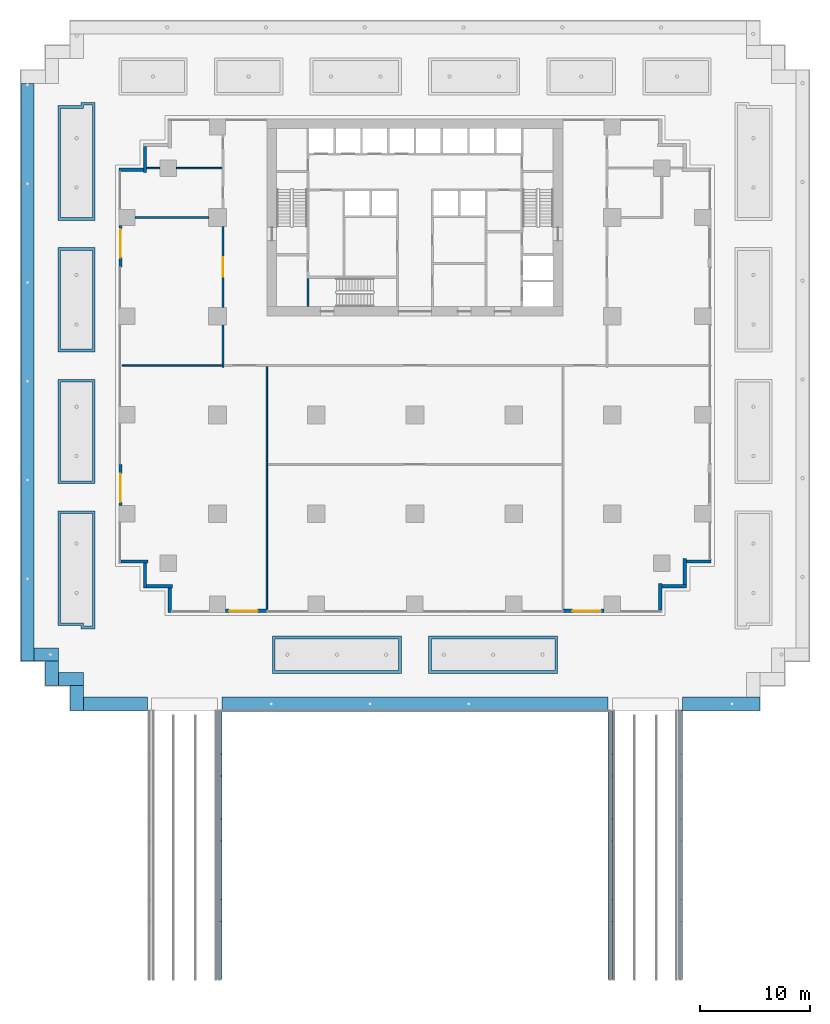
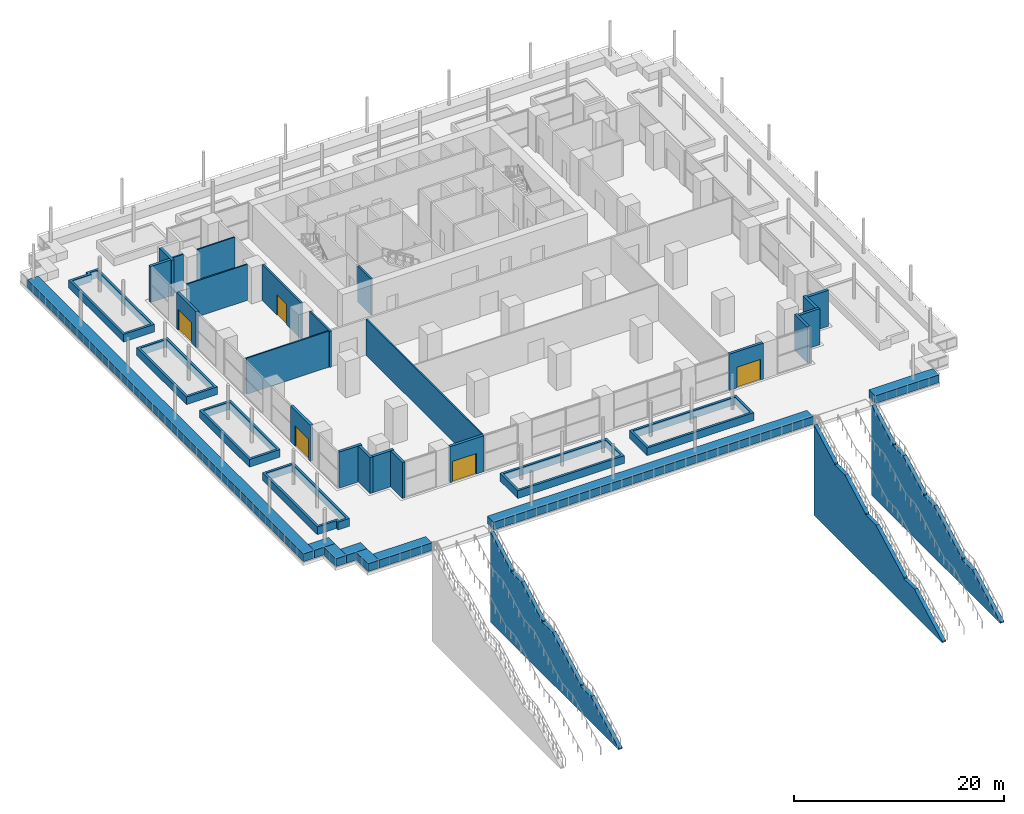
# One storey, part 9 of 18: 39 walls, 5 doors, 5 openings.
"""IFC4 building model written with IfcOpenShell, lengths in metres."""

from ifc_helpers import new_model, si_unit, direction, frame, frame_2d, origin, place, context, subcontext, project, spatial, polyline, rectangle, outline, extrude, material, layer, layer_set, type_object, element, fill, save


model = new_model("IFC4")

# Units and contexts
model_context = context("Model", 3, precision=1e-05, world=origin(), true_north=direction((0.0, 1.0)))
body_context = subcontext(model_context, "Body", "Model", "MODEL_VIEW")
ifc_project = project(units=[si_unit("LENGTHUNIT", "METRE"), si_unit("AREAUNIT", "SQUARE_METRE"), si_unit("VOLUMEUNIT", "CUBIC_METRE"), si_unit("PLANEANGLEUNIT", "RADIAN"), si_unit("MASSUNIT", "GRAM", prefix="KILO")], contexts=[model_context])

# Site, building, storey
site_placement = place(None, origin())
site = spatial("IfcSite", under=ifc_project, at=site_placement, CompositionType="ELEMENT")
building_placement = place(site_placement, origin())
building = spatial("IfcBuilding", under=site, at=building_placement, Name="Orbiselva Terraces", CompositionType="ELEMENT")
storey_placement = place(building_placement, frame((0.0, 0.0, 10.5)))
storey = spatial("IfcBuildingStorey", under=building, at=storey_placement, Name="L02", CompositionType="ELEMENT", Elevation=10.5)

# Walls
ifc_material_1 = material(Name="Concrete C60/75", Category="concrete")
ifc_layer_1 = layer(ifc_material_1, 0.2)
ifc_layer_set_1 = layer_set([ifc_layer_1], Name="Concrete C60/75")
wall_type_1 = type_object("IfcWallType", Name="CORE-WALL-SHEAR-200", PredefinedType="SHEAR", material=ifc_layer_set_1)
wall_1_placement = place(storey_placement, frame((-9.75, 5.4, 0.0), z_axis=(0.0, 0.0, 1.0), x_axis=(0.0, 1.0, 0.0)))
element("IfcWall", 1, at=wall_1_placement, inside=storey, type_object=wall_type_1, Name="L02 core wall 03", PredefinedType="SHEAR", context=body_context, shape_type="SweptSolid", body=[
    extrude(rectangle(XDim=2.55, YDim=0.2, at=frame_2d((1.275, 0.0))), origin(), (0.0, 0.0, 1.0), 4.2),
])
ifc_material_2 = material(Name="Concrete C40/50", Category="concrete")
ifc_layer_2 = layer(ifc_material_2, 1.2)
ifc_layer_set_2 = layer_set([ifc_layer_2], Name="Concrete C40/50")
wall_type_2 = type_object("IfcWallType", Name="ENV-GARDEN-BED-1200x900", PredefinedType="USERDEFINED", material=ifc_layer_set_2)
wall_2_placement = place(storey_placement, frame((-17.6, -30.83, 0.05), z_axis=(0.0, 0.0, 1.0), x_axis=(1.0, 0.0, 0.0)))
element("IfcWall", 2, at=wall_2_placement, inside=storey, type_object=wall_type_2, Name="Planter bed L02 deck", ObjectType="PLANTER", PredefinedType="USERDEFINED", context=body_context, shape_type="SweptSolid", body=[
    extrude(rectangle(XDim=35.2, YDim=1.2, at=frame_2d((17.6, 0.0))), origin(), (0.0, 0.0, 1.0), 0.9),
])
wall_3_placement = place(storey_placement, frame((24.4, -30.83, 0.05), z_axis=(0.0, 0.0, 1.0), x_axis=(1.0, 0.0, 0.0)))
element("IfcWall", 3, at=wall_3_placement, inside=storey, type_object=wall_type_2, Name="Planter bed L02 deck", ObjectType="PLANTER", PredefinedType="USERDEFINED", context=body_context, shape_type="SweptSolid", body=[
    extrude(rectangle(XDim=7.03, YDim=1.2, at=frame_2d((3.515, 0.0))), origin(), (0.0, 0.0, 1.0), 0.9),
])
wall_4_placement = place(storey_placement, frame((-35.33, 25.73, 0.05), z_axis=(0.0, 0.0, 1.0), x_axis=(0.0, -1.0, 0.0)))
element("IfcWall", 4, at=wall_4_placement, inside=storey, type_object=wall_type_2, Name="Planter bed L02 deck", ObjectType="PLANTER", PredefinedType="USERDEFINED", context=body_context, shape_type="SweptSolid", body=[
    extrude(rectangle(XDim=52.66, YDim=1.2, at=frame_2d((26.33, 0.0))), origin(), (0.0, 0.0, 1.0), 0.9),
])
for number, where, z_axis, x_axis, name in (
    (5, (-34.73, -26.33, 0.05), (0.0, 0.0, 1.0), (1.0, 0.0, 0.0), "Planter bed L02 deck"),
    (6, (-33.08, -26.93, 0.05), (0.0, 0.0, 1.0), (0.0, -1.0, 0.0), "Planter bed L02 deck"),
    (7, (-32.48, -28.58, 0.05), (0.0, 0.0, 1.0), (1.0, 0.0, 0.0), "Planter bed L02 deck"),
    (8, (-30.83, -29.18, 0.05), (0.0, 0.0, 1.0), (0.0, -1.0, 0.0), "Planter bed L02 deck"),
):
    element("IfcWall", number, at=place(storey_placement, frame(where, z_axis=z_axis, x_axis=x_axis)), inside=storey, type_object=wall_type_2, Name=name, ObjectType="PLANTER", PredefinedType="USERDEFINED", context=body_context, shape_type="SweptSolid", body=[
        extrude(rectangle(XDim=2.25, YDim=1.2, at=frame_2d((1.125, 0.0))), origin(), (0.0, 0.0, 1.0), 0.9),
    ])
wall_5_placement = place(storey_placement, frame((-30.23, -30.83, 0.05), z_axis=(0.0, 0.0, 1.0), x_axis=(1.0, 0.0, 0.0)))
element("IfcWall", 9, at=wall_5_placement, inside=storey, type_object=wall_type_2, Name="Planter bed L02 deck", ObjectType="PLANTER", PredefinedType="USERDEFINED", context=body_context, shape_type="SweptSolid", body=[
    extrude(rectangle(XDim=5.83, YDim=1.2, at=frame_2d((2.915, 0.0))), origin(), (0.0, 0.0, 1.0), 0.9),
])
ifc_layer_3 = layer(ifc_material_2, 0.25)
ifc_layer_set_3 = layer_set([ifc_layer_3], Name="Concrete C40/50")
wall_type_3 = type_object("IfcWallType", Name="ENV-GARDEN-BED-250x900", PredefinedType="USERDEFINED", material=ifc_layer_set_3)
wall_6_placement = place(storey_placement, frame((0.0, 0.0, 0.05)))
element("IfcWall", 10, at=wall_6_placement, inside=storey, type_object=wall_type_3, Name="Planter L02 Planting bed 1", ObjectType="PLANTER", PredefinedType="USERDEFINED", context=body_context, shape_type="SweptSolid", body=[
    extrude(outline(polyline([(-13.0, -28.05), (-1.25, -28.05), (-1.25, -24.65), (-13.0, -24.65), (-13.0, -28.05)]), holes=[polyline([(-12.75, -24.9), (-1.5, -24.9), (-1.5, -27.8), (-12.75, -27.8), (-12.75, -24.9)])]), origin(), (0.0, 0.0, 1.0), 0.9),
])
wall_7_placement = place(storey_placement, frame((0.0, 0.0, 0.05)))
element("IfcWall", 11, at=wall_7_placement, inside=storey, type_object=wall_type_3, Name="Planter L02 Planting bed 2", ObjectType="PLANTER", PredefinedType="USERDEFINED", context=body_context, shape_type="SweptSolid", body=[
    extrude(outline(polyline([(1.25, -28.05), (13.0, -28.05), (13.0, -24.65), (1.25, -24.65), (1.25, -28.05)]), holes=[polyline([(1.5, -24.9), (12.75, -24.9), (12.75, -27.8), (1.5, -27.8), (1.5, -24.9)])]), origin(), (0.0, 0.0, 1.0), 0.9),
])
wall_8_placement = place(storey_placement, frame((0.0, 0.0, 0.05)))
element("IfcWall", 12, at=wall_8_placement, inside=storey, type_object=wall_type_3, Name="Planter L02 Planting bed 3", ObjectType="PLANTER", PredefinedType="USERDEFINED", context=body_context, shape_type="SweptSolid", body=[
    extrude(outline(polyline([(-32.55, -13.25), (-32.55, -23.7), (-30.45, -23.7), (-30.45, -24.0), (-29.15, -24.0), (-29.15, -13.25), (-32.55, -13.25)]), holes=[polyline([(-29.4, -13.5), (-29.4, -23.75), (-30.2, -23.75), (-30.2, -23.45), (-32.3, -23.45), (-32.3, -13.5), (-29.4, -13.5)])]), origin(), (0.0, 0.0, 1.0), 0.9),
])
wall_9_placement = place(storey_placement, frame((0.0, 0.0, 0.05)))
element("IfcWall", 13, at=wall_9_placement, inside=storey, type_object=wall_type_3, Name="Planter L02 Planting bed 5", ObjectType="PLANTER", PredefinedType="USERDEFINED", context=body_context, shape_type="SweptSolid", body=[
    extrude(outline(polyline([(-32.55, -10.75), (-29.15, -10.75), (-29.15, -1.25), (-32.55, -1.25), (-32.55, -10.75)]), holes=[polyline([(-32.3, -1.5), (-29.4, -1.5), (-29.4, -10.5), (-32.3, -10.5), (-32.3, -1.5)])]), origin(), (0.0, 0.0, 1.0), 0.9),
])
wall_10_placement = place(storey_placement, frame((0.0, 0.0, 0.05)))
element("IfcWall", 14, at=wall_10_placement, inside=storey, type_object=wall_type_3, Name="Planter L02 Planting bed 7", ObjectType="PLANTER", PredefinedType="USERDEFINED", context=body_context, shape_type="SweptSolid", body=[
    extrude(outline(polyline([(-32.55, 1.25), (-29.15, 1.25), (-29.15, 10.75), (-32.55, 10.75), (-32.55, 1.25)]), holes=[polyline([(-32.3, 10.5), (-29.4, 10.5), (-29.4, 1.5), (-32.3, 1.5), (-32.3, 10.5)])]), origin(), (0.0, 0.0, 1.0), 0.9),
])
wall_11_placement = place(storey_placement, frame((0.0, 0.0, 0.05)))
element("IfcWall", 15, at=wall_11_placement, inside=storey, type_object=wall_type_3, Name="Planter L02 Planting bed 9", ObjectType="PLANTER", PredefinedType="USERDEFINED", context=body_context, shape_type="SweptSolid", body=[
    extrude(outline(polyline([(-29.15, 24.0), (-30.45, 24.0), (-30.45, 23.7), (-32.55, 23.7), (-32.55, 13.25), (-29.15, 13.25), (-29.15, 24.0)]), holes=[polyline([(-29.4, 13.5), (-32.3, 13.5), (-32.3, 23.45), (-30.2, 23.45), (-30.2, 23.75), (-29.4, 23.75), (-29.4, 13.5)])]), origin(), (0.0, 0.0, 1.0), 0.9),
])
ifc_layer_4 = layer(ifc_material_2, 0.4)
ifc_layer_set_4 = layer_set([ifc_layer_4], Name="Concrete C40/50")
wall_type_4 = type_object("IfcWallType", Name="ENV-STAIR-CHEEK-400", PredefinedType="SOLIDWALL", material=ifc_layer_set_4)
wall_12_placement = place(storey_placement, frame((-17.8, -55.98, -10.5), z_axis=(0.0, 0.0, 1.0), x_axis=(0.0, 1.0, 0.0)))
element("IfcWall", 16, at=wall_12_placement, inside=storey, type_object=wall_type_4, Name="Stair cheek wall 1E", PredefinedType="SOLIDWALL", context=body_context, shape_type="SweptSolid", body=[
    extrude(outline(polyline([(0.0, 0.0), (24.48, 0.0), (24.48, 10.5), (20.56, 8.4), (20.56, 8.25), (18.56, 8.25), (14.64, 6.15), (14.64, 6.0), (12.64, 6.0), (7.32, 3.15), (7.32, 3.0), (5.32, 3.0), (0.0, 0.15), (0.0, 0.0), (0.0, 0.0)])), frame((0.0, 0.2, 0.0), z_axis=(0.0, -1.0, 0.0), x_axis=(1.0, 0.0, 0.0)), (0.0, 0.0, 1.0), 0.4),
])
wall_13_placement = place(storey_placement, frame((24.2, -55.98, -10.5), z_axis=(0.0, 0.0, 1.0), x_axis=(0.0, 1.0, 0.0)))
element("IfcWall", 17, at=wall_13_placement, inside=storey, type_object=wall_type_4, Name="Stair cheek wall 2E", PredefinedType="SOLIDWALL", context=body_context, shape_type="SweptSolid", body=[
    extrude(outline(polyline([(0.0, 0.0), (24.566, 0.0), (24.566, 10.5), (24.48, 10.5), (20.56, 8.4), (20.56, 8.25), (18.56, 8.25), (14.64, 6.15), (14.64, 6.0), (12.64, 6.0), (7.32, 3.15), (7.32, 3.0), (5.32, 3.0), (0.0, 0.15), (0.0, 0.0), (0.0, 0.0)])), frame((0.0, 0.2, 0.0), z_axis=(0.0, -1.0, 0.0), x_axis=(1.0, 0.0, 0.0)), (0.0, 0.0, 1.0), 0.4),
])
wall_14_placement = place(storey_placement, frame((17.8, -55.98, -10.5), z_axis=(0.0, 0.0, 1.0), x_axis=(0.0, 1.0, 0.0)))
element("IfcWall", 18, at=wall_14_placement, inside=storey, type_object=wall_type_4, Name="Stair cheek wall 2W", PredefinedType="SOLIDWALL", context=body_context, shape_type="SweptSolid", body=[
    extrude(outline(polyline([(0.0, 0.0), (24.48, 0.0), (24.48, 10.5), (20.56, 8.4), (20.56, 8.25), (18.56, 8.25), (14.64, 6.15), (14.64, 6.0), (12.64, 6.0), (7.32, 3.15), (7.32, 3.0), (5.32, 3.0), (0.0, 0.15), (0.0, 0.0), (0.0, 0.0)])), frame((0.0, 0.2, 0.0), z_axis=(0.0, -1.0, 0.0), x_axis=(1.0, 0.0, 0.0)), (0.0, 0.0, 1.0), 0.4),
])

# Wall, opening, door
ifc_material_3 = material(Name="Terracotta cladding on masonry backing", Category="masonry")
ifc_layer_5 = layer(ifc_material_3, 0.3)
ifc_layer_set_5 = layer_set([ifc_layer_5], Name="Terracotta cladding on masonry backing")
wall_type_5 = type_object("IfcWallType", Name="ENV-WALL-TERRACOTTA-300", PredefinedType="SOLIDWALL", material=ifc_layer_set_5)
wall_15_placement = place(storey_placement, frame((-13.5, -22.35, 0.0), z_axis=(0.0, 0.0, 1.0), x_axis=(-1.0, 0.0, 0.0)))
wall_15 = element("IfcWall", 19, at=wall_15_placement, inside=storey, type_object=wall_type_5, Name="Facade wall L02 S", PredefinedType="SOLIDWALL", context=body_context, shape_type="SweptSolid", body=[
    extrude(rectangle(XDim=3.75, YDim=0.3, at=frame_2d((1.875, 0.0))), origin(), (0.0, 0.0, 1.0), 4.2),
])
opening_1_placement = place(wall_15_placement, frame((0.85, 0.0, 0.0)))
opening_1 = element("IfcOpeningElement", 20, at=opening_1_placement, cuts=wall_15, Name="Opening GARDEN-E01", PredefinedType="OPENING", context=body_context, shape_type="SweptSolid", body=[
    extrude(rectangle(XDim=2.6, YDim=2.4, at=frame_2d((1.3, 1.2))), frame((0.0, 0.16, 0.0), z_axis=(0.0, -1.0, 0.0), x_axis=(1.0, 0.0, 0.0)), (0.0, 0.0, 1.0), 0.32),
])
ifc_material_4 = material(Name="Clear low-e glazing in aluminium frame", Category="aluminium")
door_type_1 = type_object("IfcDoorType", Name="TERRACE DOOR 2600 X 2400", OperationType="DOUBLE_DOOR_SINGLE_SWING", PredefinedType="DOOR", material=ifc_material_4)
door_1_placement = place(opening_1_placement, origin())
door_1 = element("IfcDoor", 21, at=door_1_placement, inside=storey, type_object=door_type_1, Name="GARDEN-E01", OperationType="SINGLE_SWING_LEFT", OverallHeight=2.4, OverallWidth=2.6, PredefinedType="DOOR", context=body_context, shape_type="SweptSolid", body=[
    extrude(rectangle(XDim=2.6, YDim=2.4, at=frame_2d((1.3, 1.2))), frame((0.0, 0.025, 0.0), z_axis=(0.0, -1.0, 0.0), x_axis=(1.0, 0.0, 0.0)), (0.0, 0.0, 1.0), 0.05),
])
fill(opening_1, door_1)

wall_16_placement = place(storey_placement, frame((17.25, -22.35, 0.0), z_axis=(0.0, 0.0, 1.0), x_axis=(-1.0, 0.0, 0.0)))
wall_16 = element("IfcWall", 22, at=wall_16_placement, inside=storey, type_object=wall_type_5, Name="Facade wall L02 S", PredefinedType="SOLIDWALL", context=body_context, shape_type="SweptSolid", body=[
    extrude(rectangle(XDim=3.75, YDim=0.3, at=frame_2d((1.875, 0.0))), origin(), (0.0, 0.0, 1.0), 4.2),
])
opening_2_placement = place(wall_16_placement, frame((0.3, 0.0, 0.0)))
opening_2 = element("IfcOpeningElement", 23, at=opening_2_placement, cuts=wall_16, Name="Opening GARDEN-E02", PredefinedType="OPENING", context=body_context, shape_type="SweptSolid", body=[
    extrude(rectangle(XDim=2.6, YDim=2.4, at=frame_2d((1.3, 1.2))), frame((0.0, 0.16, 0.0), z_axis=(0.0, -1.0, 0.0), x_axis=(1.0, 0.0, 0.0)), (0.0, 0.0, 1.0), 0.32),
])
door_2_placement = place(opening_2_placement, origin())
door_2 = element("IfcDoor", 24, at=door_2_placement, inside=storey, type_object=door_type_1, Name="GARDEN-E02", OperationType="SINGLE_SWING_LEFT", OverallHeight=2.4, OverallWidth=2.6, PredefinedType="DOOR", context=body_context, shape_type="SweptSolid", body=[
    extrude(rectangle(XDim=2.6, YDim=2.4, at=frame_2d((1.3, 1.2))), frame((0.0, 0.025, 0.0), z_axis=(0.0, -1.0, 0.0), x_axis=(1.0, 0.0, 0.0)), (0.0, 0.0, 1.0), 0.05),
])
fill(opening_2, door_2)

# Walls
wall_17_placement = place(storey_placement, frame((22.35, -19.85, 0.0), z_axis=(0.0, 0.0, 1.0), x_axis=(0.0, -1.0, 0.0)))
element("IfcWall", 25, at=wall_17_placement, inside=storey, type_object=wall_type_5, Name="Facade wall L02 STEP", PredefinedType="SOLIDWALL", context=body_context, shape_type="SweptSolid", body=[
    extrude(rectangle(XDim=2.45, YDim=0.3, at=frame_2d((1.225, 0.0))), origin(), (0.0, 0.0, 1.0), 4.2),
])
wall_18_placement = place(storey_placement, frame((24.75, -20.1, 0.0), z_axis=(0.0, 0.0, 1.0), x_axis=(-1.0, 0.0, 0.0)))
element("IfcWall", 26, at=wall_18_placement, inside=storey, type_object=wall_type_5, Name="Facade wall L02 STEP", PredefinedType="SOLIDWALL", context=body_context, shape_type="SweptSolid", body=[
    extrude(rectangle(XDim=2.25, YDim=0.3, at=frame_2d((1.125, 0.0))), origin(), (0.0, 0.0, 1.0), 4.2),
])
wall_19_placement = place(storey_placement, frame((24.6, -17.6, 0.0), z_axis=(0.0, 0.0, 1.0), x_axis=(0.0, -1.0, 0.0)))
element("IfcWall", 27, at=wall_19_placement, inside=storey, type_object=wall_type_5, Name="Facade wall L02 STEP", PredefinedType="SOLIDWALL", context=body_context, shape_type="SweptSolid", body=[
    extrude(rectangle(XDim=2.35, YDim=0.3, at=frame_2d((1.175, 0.0))), origin(), (0.0, 0.0, 1.0), 4.2),
])
wall_20_placement = place(storey_placement, frame((27.0, -17.85, 0.0), z_axis=(0.0, 0.0, 1.0), x_axis=(-1.0, 0.0, 0.0)))
element("IfcWall", 28, at=wall_20_placement, inside=storey, type_object=wall_type_5, Name="Facade wall L02 STEP", PredefinedType="SOLIDWALL", context=body_context, shape_type="SweptSolid", body=[
    extrude(rectangle(XDim=2.25, YDim=0.3, at=frame_2d((1.125, 0.0))), origin(), (0.0, 0.0, 1.0), 4.2),
])
wall_21_placement = place(storey_placement, frame((-24.6, 17.6, 0.0), z_axis=(0.0, 0.0, 1.0), x_axis=(0.0, 1.0, 0.0)))
element("IfcWall", 29, at=wall_21_placement, inside=storey, type_object=wall_type_5, Name="Facade wall L02 STEP", PredefinedType="SOLIDWALL", context=body_context, shape_type="SweptSolid", body=[
    extrude(rectangle(XDim=2.35, YDim=0.3, at=frame_2d((1.175, 0.0))), origin(), (0.0, 0.0, 1.0), 4.2),
])
wall_22_placement = place(storey_placement, frame((-27.0, 17.85, 0.0), z_axis=(0.0, 0.0, 1.0), x_axis=(1.0, 0.0, 0.0)))
element("IfcWall", 30, at=wall_22_placement, inside=storey, type_object=wall_type_5, Name="Facade wall L02 STEP", PredefinedType="SOLIDWALL", context=body_context, shape_type="SweptSolid", body=[
    extrude(rectangle(XDim=2.25, YDim=0.3, at=frame_2d((1.125, 0.0))), origin(), (0.0, 0.0, 1.0), 4.2),
])

# Wall, opening, door
wall_23_placement = place(storey_placement, frame((-26.85, 9.0, 0.0), z_axis=(0.0, 0.0, 1.0), x_axis=(0.0, 1.0, 0.0)))
wall_23 = element("IfcWall", 31, at=wall_23_placement, inside=storey, type_object=wall_type_5, Name="Facade wall L02 W", PredefinedType="SOLIDWALL", context=body_context, shape_type="SweptSolid", body=[
    extrude(rectangle(XDim=3.75, YDim=0.3, at=frame_2d((1.875, 0.0))), origin(), (0.0, 0.0, 1.0), 4.2),
])
opening_3_placement = place(wall_23_placement, frame((0.85, 0.0, 0.0)))
opening_3 = element("IfcOpeningElement", 32, at=opening_3_placement, cuts=wall_23, Name="Opening GARDEN-E05", PredefinedType="OPENING", context=body_context, shape_type="SweptSolid", body=[
    extrude(rectangle(XDim=2.6, YDim=2.4, at=frame_2d((1.3, 1.2))), frame((0.0, 0.16, 0.0), z_axis=(0.0, -1.0, 0.0), x_axis=(1.0, 0.0, 0.0)), (0.0, 0.0, 1.0), 0.32),
])
door_3_placement = place(opening_3_placement, origin())
door_3 = element("IfcDoor", 33, at=door_3_placement, inside=storey, type_object=door_type_1, Name="GARDEN-E05", OperationType="SINGLE_SWING_LEFT", OverallHeight=2.4, OverallWidth=2.6, PredefinedType="DOOR", context=body_context, shape_type="SweptSolid", body=[
    extrude(rectangle(XDim=2.6, YDim=2.4, at=frame_2d((1.3, 1.2))), frame((0.0, 0.025, 0.0), z_axis=(0.0, -1.0, 0.0), x_axis=(1.0, 0.0, 0.0)), (0.0, 0.0, 1.0), 0.05),
])
fill(opening_3, door_3)

wall_24_placement = place(storey_placement, frame((-26.85, -12.75, 0.0), z_axis=(0.0, 0.0, 1.0), x_axis=(0.0, 1.0, 0.0)))
wall_24 = element("IfcWall", 34, at=wall_24_placement, inside=storey, type_object=wall_type_5, Name="Facade wall L02 W", PredefinedType="SOLIDWALL", context=body_context, shape_type="SweptSolid", body=[
    extrude(rectangle(XDim=3.75, YDim=0.3, at=frame_2d((1.875, 0.0))), origin(), (0.0, 0.0, 1.0), 4.2),
])
opening_4_placement = place(wall_24_placement, frame((0.3, 0.0, 0.0)))
opening_4 = element("IfcOpeningElement", 35, at=opening_4_placement, cuts=wall_24, Name="Opening GARDEN-E06", PredefinedType="OPENING", context=body_context, shape_type="SweptSolid", body=[
    extrude(rectangle(XDim=2.6, YDim=2.4, at=frame_2d((1.3, 1.2))), frame((0.0, 0.16, 0.0), z_axis=(0.0, -1.0, 0.0), x_axis=(1.0, 0.0, 0.0)), (0.0, 0.0, 1.0), 0.32),
])
door_4_placement = place(opening_4_placement, origin())
door_4 = element("IfcDoor", 36, at=door_4_placement, inside=storey, type_object=door_type_1, Name="GARDEN-E06", OperationType="SINGLE_SWING_LEFT", OverallHeight=2.4, OverallWidth=2.6, PredefinedType="DOOR", context=body_context, shape_type="SweptSolid", body=[
    extrude(rectangle(XDim=2.6, YDim=2.4, at=frame_2d((1.3, 1.2))), frame((0.0, 0.025, 0.0), z_axis=(0.0, -1.0, 0.0), x_axis=(1.0, 0.0, 0.0)), (0.0, 0.0, 1.0), 0.05),
])
fill(opening_4, door_4)

# Walls
wall_25_placement = place(storey_placement, frame((-24.35, -17.85, 0.0), z_axis=(0.0, 0.0, 1.0), x_axis=(-1.0, 0.0, 0.0)))
element("IfcWall", 37, at=wall_25_placement, inside=storey, type_object=wall_type_5, Name="Facade wall L02 STEP", PredefinedType="SOLIDWALL", context=body_context, shape_type="SweptSolid", body=[
    extrude(rectangle(XDim=2.45, YDim=0.3, at=frame_2d((1.225, 0.0))), origin(), (0.0, 0.0, 1.0), 4.2),
])
wall_26_placement = place(storey_placement, frame((-24.6, -20.25, 0.0), z_axis=(0.0, 0.0, 1.0), x_axis=(0.0, 1.0, 0.0)))
element("IfcWall", 38, at=wall_26_placement, inside=storey, type_object=wall_type_5, Name="Facade wall L02 STEP", PredefinedType="SOLIDWALL", context=body_context, shape_type="SweptSolid", body=[
    extrude(rectangle(XDim=2.25, YDim=0.3, at=frame_2d((1.125, 0.0))), origin(), (0.0, 0.0, 1.0), 4.2),
])
wall_27_placement = place(storey_placement, frame((-22.1, -20.1, 0.0), z_axis=(0.0, 0.0, 1.0), x_axis=(-1.0, 0.0, 0.0)))
element("IfcWall", 39, at=wall_27_placement, inside=storey, type_object=wall_type_5, Name="Facade wall L02 STEP", PredefinedType="SOLIDWALL", context=body_context, shape_type="SweptSolid", body=[
    extrude(rectangle(XDim=2.35, YDim=0.3, at=frame_2d((1.175, 0.0))), origin(), (0.0, 0.0, 1.0), 4.2),
])
wall_28_placement = place(storey_placement, frame((-22.35, -22.5, 0.0), z_axis=(0.0, 0.0, 1.0), x_axis=(0.0, 1.0, 0.0)))
element("IfcWall", 40, at=wall_28_placement, inside=storey, type_object=wall_type_5, Name="Facade wall L02 STEP", PredefinedType="SOLIDWALL", context=body_context, shape_type="SweptSolid", body=[
    extrude(rectangle(XDim=2.25, YDim=0.3, at=frame_2d((1.125, 0.0))), origin(), (0.0, 0.0, 1.0), 4.2),
])
ifc_material_5 = material(Name="Plasterboard on steel stud partition", Category="steel")
ifc_layer_6 = layer(ifc_material_5, 0.2)
ifc_layer_set_6 = layer_set([ifc_layer_6], Name="Plasterboard on steel stud partition")
wall_type_6 = type_object("IfcWallType", Name="UNIT-ENTRANCE-WALL-200", PredefinedType="PARTITIONING", material=ifc_layer_set_6)
wall_29_placement = place(storey_placement, frame((-17.5, -0.175, 0.0), z_axis=(0.0, 0.0, 1.0), x_axis=(0.0, 1.0, 0.0)))
element("IfcWall", 41, at=wall_29_placement, inside=storey, type_object=wall_type_6, Name="PARTITION L02-011", PredefinedType="PARTITIONING", context=body_context, shape_type="SweptSolid", body=[
    extrude(rectangle(XDim=3.875, YDim=0.2, at=frame_2d((1.9375, 0.0))), origin(), (0.0, 0.0, 1.0), 4.2),
])

# Wall, opening, door
wall_30_placement = place(storey_placement, frame((-17.5, 12.7, 0.0), z_axis=(0.0, 0.0, 1.0), x_axis=(0.0, -1.0, 0.0)))
wall_30 = element("IfcWall", 42, at=wall_30_placement, inside=storey, type_object=wall_type_6, Name="PARTITION L02-012", PredefinedType="PARTITIONING", context=body_context, shape_type="SweptSolid", body=[
    extrude(rectangle(XDim=7.4, YDim=0.2, at=frame_2d((3.7, 0.0))), origin(), (0.0, 0.0, 1.0), 4.2),
])
opening_5_placement = place(wall_30_placement, frame((2.8, 0.0, 0.0)))
opening_5 = element("IfcOpeningElement", 43, at=opening_5_placement, cuts=wall_30, Name="Opening GARDEN-04", PredefinedType="OPENING", context=body_context, shape_type="SweptSolid", body=[
    extrude(rectangle(XDim=1.8, YDim=2.4, at=frame_2d((0.9, 1.2))), frame((0.0, 0.11, 0.0), z_axis=(0.0, -1.0, 0.0), x_axis=(1.0, 0.0, 0.0)), (0.0, 0.0, 1.0), 0.22),
])
ifc_material_6 = material(Name="Painted timber door leaf", Category="wood")
door_type_2 = type_object("IfcDoorType", Name="DOUBLE DOOR 1800", OperationType="NOTDEFINED", PredefinedType="DOOR", material=ifc_material_6)
door_5_placement = place(opening_5_placement, origin())
door_5 = element("IfcDoor", 44, at=door_5_placement, inside=storey, type_object=door_type_2, Name="GARDEN-04", OperationType="DOUBLE_DOOR_SINGLE_SWING", OverallHeight=2.4, OverallWidth=1.8, PredefinedType="DOOR", context=body_context, shape_type="SweptSolid", body=[
    extrude(rectangle(XDim=1.8, YDim=2.4, at=frame_2d((0.9, 1.2))), frame((0.0, 0.025, 0.0), z_axis=(0.0, -1.0, 0.0), x_axis=(1.0, 0.0, 0.0)), (0.0, 0.0, 1.0), 0.05),
])
fill(opening_5, door_5)

# Walls
ifc_layer_7 = layer(ifc_material_5, 0.15)
ifc_layer_set_7 = layer_set([ifc_layer_7], Name="Plasterboard on steel stud partition")
wall_type_7 = type_object("IfcWallType", Name="UNIT-PARTITION-150", PredefinedType="PARTITIONING", material=ifc_layer_set_7)
wall_31_placement = place(storey_placement, frame((-26.7, 0.0, 0.0), z_axis=(0.0, 0.0, 1.0), x_axis=(1.0, 0.0, 0.0)))
element("IfcWall", 45, at=wall_31_placement, inside=storey, type_object=wall_type_7, Name="PARTITION L02-003", PredefinedType="PARTITIONING", context=body_context, shape_type="SweptSolid", body=[
    extrude(rectangle(XDim=9.1, YDim=0.15, at=frame_2d((4.55, 0.0))), origin(), (0.0, 0.0, 1.0), 4.2),
])
wall_32_placement = place(storey_placement, frame((-25.5, 13.5, 0.0), z_axis=(0.0, 0.0, 1.0), x_axis=(1.0, 0.0, 0.0)))
element("IfcWall", 46, at=wall_32_placement, inside=storey, type_object=wall_type_7, Name="PARTITION L02-005", PredefinedType="PARTITIONING", context=body_context, shape_type="SweptSolid", body=[
    extrude(rectangle(XDim=6.7, YDim=0.15, at=frame_2d((3.35, 0.0))), origin(), (0.0, 0.0, 1.0), 4.2),
])
wall_33_placement = place(storey_placement, frame((-24.45, 18.0, 0.0), z_axis=(0.0, 0.0, 1.0), x_axis=(1.0, 0.0, 0.0)))
element("IfcWall", 47, at=wall_33_placement, inside=storey, type_object=wall_type_7, Name="PARTITION L02-007", PredefinedType="PARTITIONING", context=body_context, shape_type="SweptSolid", body=[
    extrude(rectangle(XDim=1.2, YDim=0.15, at=frame_2d((0.6, 0.0))), origin(), (0.0, 0.0, 1.0), 4.2),
])
wall_34_placement = place(storey_placement, frame((-21.75, 18.0, 0.0), z_axis=(0.0, 0.0, 1.0), x_axis=(1.0, 0.0, 0.0)))
element("IfcWall", 48, at=wall_34_placement, inside=storey, type_object=wall_type_7, Name="PARTITION L02-008", PredefinedType="PARTITIONING", context=body_context, shape_type="SweptSolid", body=[
    extrude(rectangle(XDim=4.15, YDim=0.15, at=frame_2d((2.075, 0.0))), origin(), (0.0, 0.0, 1.0), 4.2),
])
wall_35_placement = place(storey_placement, frame((-13.5, -22.2, 0.0), z_axis=(0.0, 0.0, 1.0), x_axis=(0.0, 1.0, 0.0)))
element("IfcWall", 49, at=wall_35_placement, inside=storey, type_object=wall_type_7, Name="PARTITION L02-014", PredefinedType="PARTITIONING", context=body_context, shape_type="SweptSolid", body=[
    extrude(rectangle(XDim=22.1, YDim=0.15, at=frame_2d((11.05, 0.0))), origin(), (0.0, 0.0, 1.0), 4.2),
])

save(model, "model.ifc")
